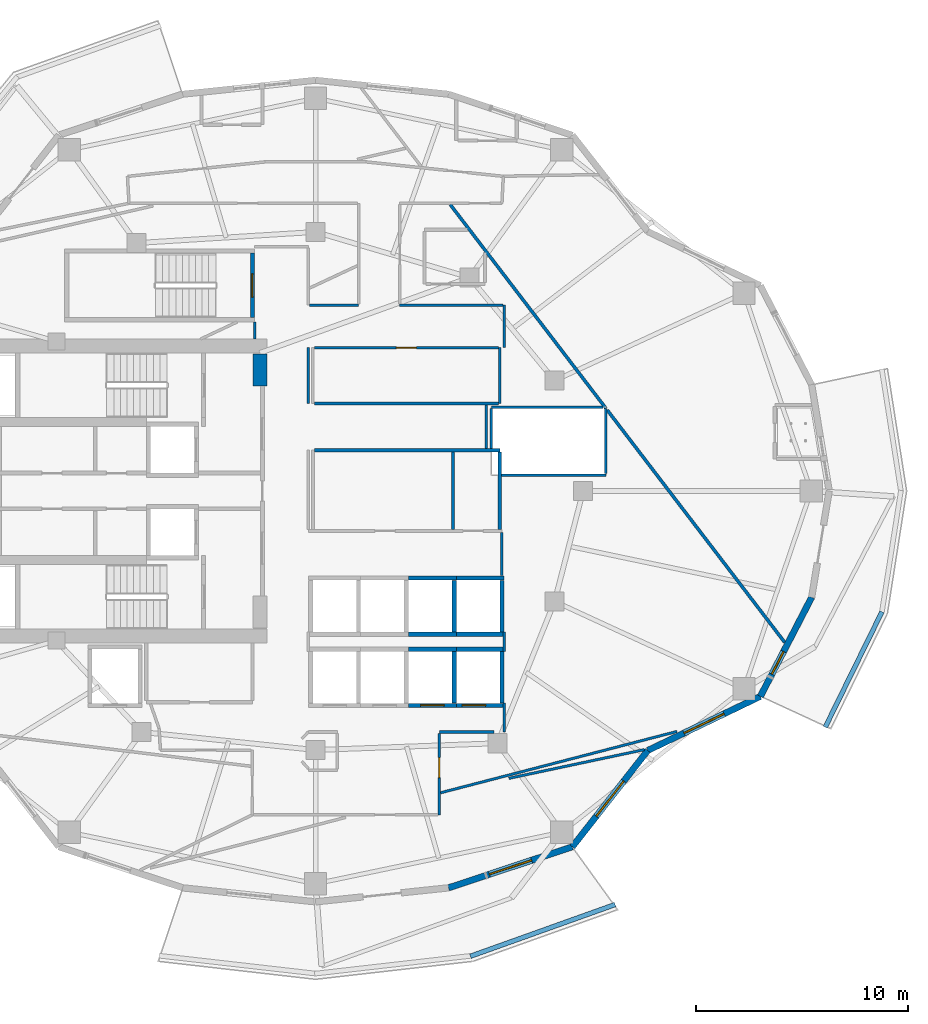
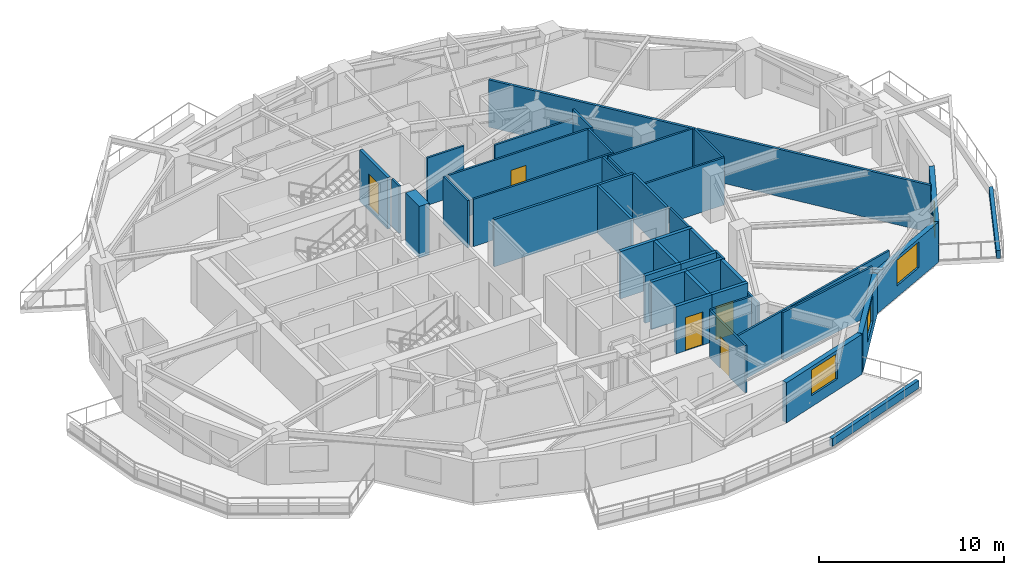
# One storey, part 5 of 14: 45 walls, 5 doors, 4 windows, 9 openings.
"""IFC4 building model written with IfcOpenShell, lengths in metres."""

from ifc_helpers import new_model, si_unit, direction, frame, frame_2d, origin, place, context, subcontext, project, spatial, rectangle, extrude, material, layer, layer_set, type_object, element, fill, save


model = new_model("IFC4")

# Units and contexts
model_context = context("Model", 3, precision=1e-05, world=origin(), true_north=direction((0.0, 1.0)))
body_context = subcontext(model_context, "Body", "Model", "MODEL_VIEW")
ifc_project = project(units=[si_unit("LENGTHUNIT", "METRE"), si_unit("AREAUNIT", "SQUARE_METRE"), si_unit("VOLUMEUNIT", "CUBIC_METRE"), si_unit("PLANEANGLEUNIT", "RADIAN"), si_unit("MASSUNIT", "GRAM", prefix="KILO")], contexts=[model_context])

# Site, building, storey
site_placement = place(None, origin())
site = spatial("IfcSite", under=ifc_project, at=site_placement, CompositionType="ELEMENT")
building_placement = place(site_placement, origin())
building = spatial("IfcBuilding", under=site, at=building_placement, Name="Kolvaren Gate Tower and Convention Centre", CompositionType="ELEMENT")
storey_placement = place(building_placement, frame((0.0, 0.0, 118.89990234375)))
storey = spatial("IfcBuildingStorey", under=building, at=storey_placement, Name="L29", CompositionType="ELEMENT", Elevation=118.89990234375)

# Walls
ifc_material_1 = material(Name="Fire-Rated Acoustic Gypsum Stud Partition", Category="gypsum")
ifc_layer_1 = layer(ifc_material_1, 0.1201171875)
ifc_layer_set_1 = layer_set([ifc_layer_1], Name="Fire-Rated Acoustic Gypsum Stud Partition")
wall_type_1 = type_object("IfcWallType", Name="ARCH-WL-PART-120", PredefinedType="PARTITIONING", material=ifc_layer_set_1)
wall_1_placement = place(storey_placement, frame((38.800048828125, 31.1201171875, 0.0), z_axis=(0.0, 0.0, 1.0), x_axis=(0.0, 1.0, 0.0)))
element("IfcWall", 1, at=wall_1_placement, inside=storey, type_object=wall_type_1, Name="Interior Partition WL-L29-INT-020", PredefinedType="PARTITIONING", context=body_context, shape_type="SweptSolid", body=[
    extrude(rectangle(XDim=2.6298828125, YDim=0.1201171875, at=frame_2d((1.31494140625, 0.0))), origin(), (0.0, 0.0, 1.0), 3.130126953125),
])
wall_2_placement = place(storey_placement, frame((30.06201171875, 31.1201171875, 0.0), z_axis=(0.0, 0.0, 1.0), x_axis=(1.0, 0.0, 0.0)))
element("IfcWall", 2, at=wall_2_placement, inside=storey, type_object=wall_type_1, Name="Interior Partition WL-L29-INT-021", PredefinedType="PARTITIONING", context=body_context, shape_type="SweptSolid", body=[
    extrude(rectangle(XDim=8.676025390625, YDim=0.1201171875, at=frame_2d((4.337890625, 0.0))), origin(), (0.0, 0.0, 1.0), 3.130126953125),
])

# Wall, opening, door
wall_3_placement = place(storey_placement, frame((30.06201171875, 33.75, 0.0), z_axis=(0.0, 0.0, 1.0), x_axis=(1.0, 0.0, 0.0)))
wall_3 = element("IfcWall", 3, at=wall_3_placement, inside=storey, type_object=wall_type_1, Name="Interior Partition WL-L29-INT-022", PredefinedType="PARTITIONING", context=body_context, shape_type="SweptSolid", body=[
    extrude(rectangle(XDim=8.676025390625, YDim=0.1201171875, at=frame_2d((4.337890625, 0.0))), origin(), (0.0, 0.0, 1.0), 3.130126953125),
])
opening_1_placement = place(wall_3_placement, frame((3.863037109375, 0.0, 0.0)))
opening_1 = element("IfcOpeningElement", 4, at=opening_1_placement, cuts=wall_3, Name="Opening DR-01", PredefinedType="OPENING", context=body_context, shape_type="SweptSolid", body=[
    extrude(rectangle(XDim=0.949951171875, YDim=2.10009765625, at=frame_2d((0.47509765625, 1.050048828125))), frame((0.0, 0.070068359375, 0.0), z_axis=(0.0, -1.0, 0.0), x_axis=(1.0, 0.0, 0.0)), (0.0, 0.0, 1.0), 0.14013671875),
])
ifc_material_2 = material(Name="Painted Architectural Steelwork ASTM A500 Grade C 345 MPa", Category="steel")
door_type_1 = type_object("IfcDoorType", Name="ARCH-DR-RISER-950", OperationType="SINGLE_SWING_RIGHT", PredefinedType="DOOR", material=ifc_material_2)
door_1_placement = place(opening_1_placement, origin())
door_1 = element("IfcDoor", 5, at=door_1_placement, inside=storey, type_object=door_type_1, Name="Botanical Reading Clubroom Door", OperationType="SINGLE_SWING_RIGHT", OverallHeight=2.10009765625, OverallWidth=0.949951171875, PredefinedType="DOOR", context=body_context, shape_type="SweptSolid", body=[
    extrude(rectangle(XDim=0.949951171875, YDim=2.10009765625, at=frame_2d((0.47509765625, 1.050048828125))), frame((0.0, 0.02490234375, 0.0), z_axis=(0.0, -1.0, 0.0), x_axis=(1.0, 0.0, 0.0)), (0.0, 0.0, 1.0), 0.050048828125),
])
fill(opening_1, door_1)

# Walls
wall_4_placement = place(storey_placement, frame((39.02001953125, 15.64990234375, 0.0), z_axis=(0.0, 0.0, 1.0), x_axis=(0.0, 1.0, 0.0)))
element("IfcWall", 6, at=wall_4_placement, inside=storey, type_object=wall_type_1, Name="Interior Partition WL-L29-INT-023", PredefinedType="PARTITIONING", context=body_context, shape_type="SweptSolid", body=[
    extrude(rectangle(XDim=1.360107421875, YDim=0.1201171875, at=frame_2d((0.68017578125, 0.0))), origin(), (0.0, 0.0, 1.0), 2.505126953125),
])
wall_5_placement = place(storey_placement, frame((39.02001953125, 19.43994140625, 0.0), z_axis=(0.0, 0.0, 1.0), x_axis=(0.0, 1.0, 0.0)))
element("IfcWall", 7, at=wall_5_placement, inside=storey, type_object=wall_type_1, Name="Interior Partition WL-L29-INT-023 (2)", PredefinedType="PARTITIONING", context=body_context, shape_type="SweptSolid", body=[
    extrude(rectangle(XDim=0.920166015625, YDim=0.1201171875, at=frame_2d((0.4599609375, 0.0))), origin(), (0.0, 0.0, 1.0), 3.130126953125),
])
wall_6_placement = place(storey_placement, frame((39.02001953125, 33.75, 0.0), z_axis=(0.0, 0.0, 1.0), x_axis=(0.0, 1.0, 0.0)))
element("IfcWall", 8, at=wall_6_placement, inside=storey, type_object=wall_type_1, Name="Interior Partition WL-L29-INT-024", PredefinedType="PARTITIONING", context=body_context, shape_type="SweptSolid", body=[
    extrude(rectangle(XDim=2.0, YDim=0.1201171875, at=frame_2d((1.0, 0.0))), origin(), (0.0, 0.0, 1.0), 3.130126953125),
])
wall_7_placement = place(storey_placement, frame((35.949951171875, 15.64990234375, 0.0), z_axis=(0.0, 0.0, 1.0), x_axis=(1.0, 0.0, 0.0)))
element("IfcWall", 9, at=wall_7_placement, inside=storey, type_object=wall_type_1, Name="Interior Partition WL-L29-INT-026", PredefinedType="PARTITIONING", context=body_context, shape_type="SweptSolid", body=[
    extrude(rectangle(XDim=2.568115234375, YDim=0.1201171875, at=frame_2d((1.2841796875, 0.0))), origin(), (0.0, 0.0, 1.0), 3.130126953125),
])

# Wall, opening, door
wall_8_placement = place(storey_placement, frame((35.949951171875, 11.75, 0.0), z_axis=(0.0, 0.0, 1.0), x_axis=(0.0, 1.0, 0.0)))
wall_8 = element("IfcWall", 10, at=wall_8_placement, inside=storey, type_object=wall_type_1, Name="Interior Partition WL-L29-INT-027", PredefinedType="PARTITIONING", context=body_context, shape_type="SweptSolid", body=[
    extrude(rectangle(XDim=3.837890625, YDim=0.1201171875, at=frame_2d((1.9189453125, 0.0))), origin(), (0.0, 0.0, 1.0), 3.130126953125),
])
opening_2_placement = place(wall_8_placement, frame((1.74560546875, 0.0, 0.0)))
opening_2 = element("IfcOpeningElement", 11, at=opening_2_placement, cuts=wall_8, Name="Opening DR-01", PredefinedType="OPENING", context=body_context, shape_type="SweptSolid", body=[
    extrude(rectangle(XDim=0.949951171875, YDim=2.10009765625, at=frame_2d((0.47509765625, 1.050048828125))), frame((0.0, 0.070068359375, 0.0), z_axis=(0.0, -1.0, 0.0), x_axis=(1.0, 0.0, 0.0)), (0.0, 0.0, 1.0), 0.14013671875),
])
door_2_placement = place(opening_2_placement, origin())
door_2 = element("IfcDoor", 12, at=door_2_placement, inside=storey, type_object=door_type_1, Name="Executive Seminar Conference Room Door", OperationType="SINGLE_SWING_RIGHT", OverallHeight=2.10009765625, OverallWidth=0.949951171875, PredefinedType="DOOR", context=body_context, shape_type="SweptSolid", body=[
    extrude(rectangle(XDim=0.949951171875, YDim=2.10009765625, at=frame_2d((0.47509765625, 1.050048828125))), frame((0.0, 0.02490234375, 0.0), z_axis=(0.0, -1.0, 0.0), x_axis=(1.0, 0.0, 0.0)), (0.0, 0.0, 1.0), 0.050048828125),
])
fill(opening_2, door_2)

# Walls
wall_9_placement = place(storey_placement, frame((27.25, 34.152099609375, 0.0), z_axis=(0.0, 0.0, 1.0), x_axis=(0.0, 1.0, 0.0)))
element("IfcWall", 13, at=wall_9_placement, inside=storey, type_object=wall_type_1, Name="Interior Partition WL-L29-INT-033", PredefinedType="PARTITIONING", context=body_context, shape_type="SweptSolid", body=[
    extrude(rectangle(XDim=0.805908203125, YDim=0.1201171875, at=frame_2d((0.40283203125, 0.0))), origin(), (0.0, 0.0, 1.0), 3.130126953125),
])
wall_10_placement = place(storey_placement, frame((29.780029296875, 31.1201171875, 0.0), z_axis=(0.0, 0.0, 1.0), x_axis=(0.0, 1.0, 0.0)))
element("IfcWall", 14, at=wall_10_placement, inside=storey, type_object=wall_type_1, Name="Interior Partition WL-L29-INT-037", PredefinedType="PARTITIONING", context=body_context, shape_type="SweptSolid", body=[
    extrude(rectangle(XDim=2.6298828125, YDim=0.1201171875, at=frame_2d((1.31494140625, 0.0))), origin(), (0.0, 0.0, 1.0), 3.130126953125),
])
wall_11_placement = place(storey_placement, frame((29.842041015625, 35.75, 0.0), z_axis=(0.0, 0.0, 1.0), x_axis=(1.0, 0.0, 0.0)))
element("IfcWall", 15, at=wall_11_placement, inside=storey, type_object=wall_type_1, Name="Interior Partition WL-L29-INT-039", PredefinedType="PARTITIONING", context=body_context, shape_type="SweptSolid", body=[
    extrude(rectangle(XDim=2.307861328125, YDim=0.1201171875, at=frame_2d((1.15380859375, 0.0))), origin(), (0.0, 0.0, 1.0), 3.130126953125),
])
wall_12_placement = place(storey_placement, frame((34.080078125, 35.75, 0.0), z_axis=(0.0, 0.0, 1.0), x_axis=(1.0, 0.0, 0.0)))
element("IfcWall", 16, at=wall_12_placement, inside=storey, type_object=wall_type_1, Name="Interior Partition WL-L29-INT-040", PredefinedType="PARTITIONING", context=body_context, shape_type="SweptSolid", body=[
    extrude(rectangle(XDim=4.8779296875, YDim=0.1201171875, at=frame_2d((2.43896484375, 0.0))), origin(), (0.0, 0.0, 1.0), 2.505126953125),
])
wall_13_placement = place(storey_placement, frame((38.159912109375, 28.9970703125, 0.0), z_axis=(0.0, 0.0, 1.0), x_axis=(0.0, 1.0, 0.0)))
element("IfcWall", 17, at=wall_13_placement, inside=storey, type_object=wall_type_1, Name="Interior Partition WL-L29-INT-049", PredefinedType="PARTITIONING", context=body_context, shape_type="SweptSolid", body=[
    extrude(rectangle(XDim=2.06103515625, YDim=0.1201171875, at=frame_2d((1.030517578125, 0.0))), origin(), (0.0, 0.0, 1.0), 3.130126953125),
])
wall_14_placement = place(storey_placement, frame((38.89990234375, 23.02001953125, 0.0), z_axis=(0.0, 0.0, 1.0), x_axis=(0.0, 1.0, 0.0)))
element("IfcWall", 18, at=wall_14_placement, inside=storey, type_object=wall_type_1, Name="Interior Partition WL-L29-INT-050", PredefinedType="PARTITIONING", context=body_context, shape_type="SweptSolid", body=[
    extrude(rectangle(XDim=2.02294921875, YDim=0.1201171875, at=frame_2d((1.011474609375, 0.0))), origin(), (0.0, 0.0, 1.0), 3.130126953125),
])
wall_15_placement = place(storey_placement, frame((36.011962890625, 12.786865234375, 0.0), z_axis=(0.0, 0.0, 1.0), x_axis=(0.967985438953, 0.25100635445, 0.0)))
element("IfcWall", 19, at=wall_15_placement, inside=storey, type_object=wall_type_1, Name="Interior Partition WL-L29-INT-061", PredefinedType="PARTITIONING", context=body_context, shape_type="SweptSolid", body=[
    extrude(rectangle(XDim=11.50244140625, YDim=0.1201171875, at=frame_2d((5.751220703125, 0.0))), origin(), (0.0, 0.0, 1.0), 3.130126953125),
])
wall_16_placement = place(storey_placement, frame((39.22705078125, 13.465576171875, 0.0), z_axis=(0.0, 0.0, 1.0), x_axis=(0.978270488948, 0.207332704736, 0.0)))
element("IfcWall", 20, at=wall_16_placement, inside=storey, type_object=wall_type_1, Name="Interior Partition WL-L29-INT-062", PredefinedType="PARTITIONING", context=body_context, shape_type="SweptSolid", body=[
    extrude(rectangle(XDim=6.5224609375, YDim=0.1201171875, at=frame_2d((3.26123046875, 0.0))), origin(), (0.0, 0.0, 1.0), 3.130126953125),
])
wall_17_placement = place(storey_placement, frame((38.876953125, 27.75, 0.0), z_axis=(0.0, 0.0, 1.0), x_axis=(1.0, 0.0, 0.0)))
element("IfcWall", 21, at=wall_17_placement, inside=storey, type_object=wall_type_1, Name="Interior Partition WL-L29-INT-064", PredefinedType="PARTITIONING", context=body_context, shape_type="SweptSolid", body=[
    extrude(rectangle(XDim=4.923095703125, YDim=0.1201171875, at=frame_2d((2.46142578125, 0.0))), origin(), (0.0, 0.0, 1.0), 3.130126953125),
])
wall_18_placement = place(storey_placement, frame((43.800048828125, 27.81201171875, 0.0), z_axis=(0.0, 0.0, 1.0), x_axis=(0.0, 1.0, 0.0)))
element("IfcWall", 22, at=wall_18_placement, inside=storey, type_object=wall_type_1, Name="Interior Partition WL-L29-INT-065", PredefinedType="PARTITIONING", context=body_context, shape_type="SweptSolid", body=[
    extrude(rectangle(XDim=3.077880859375, YDim=0.1201171875, at=frame_2d((1.5390625, 0.0))), origin(), (0.0, 0.0, 1.0), 3.130126953125),
])
wall_19_placement = place(storey_placement, frame((38.39990234375, 30.949951171875, 0.0), z_axis=(0.0, 0.0, 1.0), x_axis=(1.0, 0.0, 0.0)))
element("IfcWall", 23, at=wall_19_placement, inside=storey, type_object=wall_type_1, Name="Interior Partition WL-L29-INT-076", PredefinedType="PARTITIONING", context=body_context, shape_type="SweptSolid", body=[
    extrude(rectangle(XDim=5.25732421875, YDim=0.1201171875, at=frame_2d((2.628662109375, 0.0))), origin(), (0.0, 0.0, 1.0), 3.130126953125),
])
wall_20_placement = place(storey_placement, frame((38.39990234375, 28.9970703125, 0.0), z_axis=(0.0, 0.0, 1.0), x_axis=(0.0, 1.0, 0.0)))
element("IfcWall", 24, at=wall_20_placement, inside=storey, type_object=wall_type_1, Name="Interior Partition WL-L29-INT-077", PredefinedType="PARTITIONING", context=body_context, shape_type="SweptSolid", body=[
    extrude(rectangle(XDim=1.890869140625, YDim=0.1201171875, at=frame_2d((0.9453125, 0.0))), origin(), (0.0, 0.0, 1.0), 3.130126953125),
])
ifc_material_3 = material(Name="Piedmont Cream Honed Limestone Cladding", Category="masonry")
ifc_layer_2 = layer(ifc_material_3, 0.219970703125)
ifc_layer_set_2 = layer_set([ifc_layer_2], Name="Piedmont Cream Honed Limestone Cladding")
wall_type_2 = type_object("IfcWallType", Name="ARCH-WL-PLANTER-220", PredefinedType="PARAPET", material=ifc_layer_set_2)
wall_21_placement = place(storey_placement, frame((37.4189453125, 5.08740234375, 0.0), z_axis=(0.0, 0.0, 1.0), x_axis=(0.941632697311, 0.336642040387, 0.0)))
element("IfcWall", 25, at=wall_21_placement, inside=storey, type_object=wall_type_2, Name="Vertical-Forest Balcony Stone Planter Kerb PK-L29-3.3", PredefinedType="PARAPET", context=body_context, shape_type="SweptSolid", body=[
    extrude(rectangle(XDim=7.235595703125, YDim=0.219970703125, at=frame_2d((3.61767578125, 0.0))), origin(), (0.0, 0.0, 1.0), 0.52001953125),
])
wall_22_placement = place(storey_placement, frame((54.12890625, 15.87841796875, 0.0), z_axis=(0.0, 0.0, 1.0), x_axis=(0.441269631716, 0.897374566235, 0.0)))
element("IfcWall", 26, at=wall_22_placement, inside=storey, type_object=wall_type_2, Name="Vertical-Forest Balcony Stone Planter Kerb PK-L29-4.1", PredefinedType="PARAPET", context=body_context, shape_type="SweptSolid", body=[
    extrude(rectangle(XDim=6.05615234375, YDim=0.219970703125, at=frame_2d((3.028076171875, 0.0))), origin(), (0.0, 0.0, 1.0), 0.52001953125),
])
ifc_material_4 = material(Name="Autoclaved Aerated Masonry Blockwork Class 4 (4.0 MPa)", Category="masonry")
ifc_layer_3 = layer(ifc_material_4, 0.199951171875)
ifc_layer_set_3 = layer_set([ifc_layer_3], Name="Autoclaved Aerated Masonry Blockwork Class 4 (4.0 MPa)")
wall_type_3 = type_object("IfcWallType", Name="ARCH-WL-SHAFT-200", PredefinedType="SOLIDWALL", material=ifc_layer_set_3)
wall_23_placement = place(storey_placement, frame((34.5, 19.550048828125, 0.0), z_axis=(0.0, 0.0, 1.0), x_axis=(1.0, 0.0, 0.0)))
element("IfcWall", 27, at=wall_23_placement, inside=storey, type_object=wall_type_3, Name="Elevator PL-07 L29 Fire Shaft Wall N", PredefinedType="SOLIDWALL", context=body_context, shape_type="SweptSolid", body=[
    extrude(rectangle(XDim=2.25, YDim=0.199951171875, at=frame_2d((1.125, 0.0))), origin(), (0.0, 0.0, 1.0), 3.130126953125),
])

# Wall, opening, door
wall_24_placement = place(storey_placement, frame((34.5, 16.89990234375, 0.0), z_axis=(0.0, 0.0, 1.0), x_axis=(1.0, 0.0, 0.0)))
wall_24 = element("IfcWall", 28, at=wall_24_placement, inside=storey, type_object=wall_type_3, Name="Elevator PL-07 L29 Fire Shaft Wall S", PredefinedType="SOLIDWALL", context=body_context, shape_type="SweptSolid", body=[
    extrude(rectangle(XDim=2.25, YDim=0.199951171875, at=frame_2d((1.125, 0.0))), origin(), (0.0, 0.0, 1.0), 3.130126953125),
])
opening_3_placement = place(wall_24_placement, frame((0.574951171875, 0.0, 0.0)))
opening_3 = element("IfcOpeningElement", 29, at=opening_3_placement, cuts=wall_24, Name="Opening LD", PredefinedType="OPENING", context=body_context, shape_type="SweptSolid", body=[
    extrude(rectangle(XDim=1.10009765625, YDim=2.199951171875, at=frame_2d((0.550048828125, 1.10009765625))), frame((0.0, 0.10986328125, 0.0), z_axis=(0.0, -1.0, 0.0), x_axis=(1.0, 0.0, 0.0)), (0.0, 0.0, 1.0), 0.219970703125),
])
ifc_material_5 = material(Name="Brushed Stainless Steel Grade 316L", Category="steel")
door_type_2 = type_object("IfcDoorType", Name="ARCH-DR-LIFT-1100", OperationType="SLIDING_TO_LEFT", PredefinedType="DOOR", material=ifc_material_5)
door_3_placement = place(opening_3_placement, origin())
door_3 = element("IfcDoor", 30, at=door_3_placement, inside=storey, type_object=door_type_2, Name="Elevator PL-07 L29 Sliding Landing Door", OperationType="SLIDING_TO_LEFT", OverallHeight=2.199951171875, OverallWidth=1.10009765625, PredefinedType="DOOR", context=body_context, shape_type="SweptSolid", body=[
    extrude(rectangle(XDim=1.10009765625, YDim=2.199951171875, at=frame_2d((0.550048828125, 1.10009765625))), frame((0.0, 0.02490234375, 0.0), z_axis=(0.0, -1.0, 0.0), x_axis=(1.0, 0.0, 0.0)), (0.0, 0.0, 1.0), 0.050048828125),
])
fill(opening_3, door_3)

# Walls
wall_25_placement = place(storey_placement, frame((36.64990234375, 17.010009765625, 0.0), z_axis=(0.0, 0.0, 1.0), x_axis=(0.0, 1.0, 0.0)))
element("IfcWall", 31, at=wall_25_placement, inside=storey, type_object=wall_type_3, Name="Elevator PL-07 L29 Fire Shaft Wall E", PredefinedType="SOLIDWALL", context=body_context, shape_type="SweptSolid", body=[
    extrude(rectangle(XDim=2.429931640625, YDim=0.199951171875, at=frame_2d((1.21484375, 0.0))), origin(), (0.0, 0.0, 1.0), 3.130126953125),
])
wall_26_placement = place(storey_placement, frame((36.75, 19.550048828125, 0.0), z_axis=(0.0, 0.0, 1.0), x_axis=(1.0, 0.0, 0.0)))
element("IfcWall", 32, at=wall_26_placement, inside=storey, type_object=wall_type_3, Name="Elevator PL-08 L29 Fire Shaft Wall N", PredefinedType="SOLIDWALL", context=body_context, shape_type="SweptSolid", body=[
    extrude(rectangle(XDim=2.25, YDim=0.199951171875, at=frame_2d((1.125, 0.0))), origin(), (0.0, 0.0, 1.0), 3.130126953125),
])

# Wall, opening, door
wall_27_placement = place(storey_placement, frame((36.75, 16.89990234375, 0.0), z_axis=(0.0, 0.0, 1.0), x_axis=(1.0, 0.0, 0.0)))
wall_27 = element("IfcWall", 33, at=wall_27_placement, inside=storey, type_object=wall_type_3, Name="Elevator PL-08 L29 Fire Shaft Wall S", PredefinedType="SOLIDWALL", context=body_context, shape_type="SweptSolid", body=[
    extrude(rectangle(XDim=2.25, YDim=0.199951171875, at=frame_2d((1.125, 0.0))), origin(), (0.0, 0.0, 1.0), 3.130126953125),
])
opening_4_placement = place(wall_27_placement, frame((0.280029296875, 0.0, 0.0)))
opening_4 = element("IfcOpeningElement", 34, at=opening_4_placement, cuts=wall_27, Name="Opening LD", PredefinedType="OPENING", context=body_context, shape_type="SweptSolid", body=[
    extrude(rectangle(XDim=1.10009765625, YDim=2.199951171875, at=frame_2d((0.550048828125, 1.10009765625))), frame((0.0, 0.10986328125, 0.0), z_axis=(0.0, -1.0, 0.0), x_axis=(1.0, 0.0, 0.0)), (0.0, 0.0, 1.0), 0.219970703125),
])
door_4_placement = place(opening_4_placement, origin())
door_4 = element("IfcDoor", 35, at=door_4_placement, inside=storey, type_object=door_type_2, Name="Elevator PL-08 L29 Sliding Landing Door", OperationType="SLIDING_TO_LEFT", OverallHeight=2.199951171875, OverallWidth=1.10009765625, PredefinedType="DOOR", context=body_context, shape_type="SweptSolid", body=[
    extrude(rectangle(XDim=1.10009765625, YDim=2.199951171875, at=frame_2d((0.550048828125, 1.10009765625))), frame((0.0, 0.02490234375, 0.0), z_axis=(0.0, -1.0, 0.0), x_axis=(1.0, 0.0, 0.0)), (0.0, 0.0, 1.0), 0.050048828125),
])
fill(opening_4, door_4)

# Walls
wall_28_placement = place(storey_placement, frame((38.89990234375, 17.010009765625, 0.0), z_axis=(0.0, 0.0, 1.0), x_axis=(0.0, 1.0, 0.0)))
element("IfcWall", 36, at=wall_28_placement, inside=storey, type_object=wall_type_3, Name="Elevator PL-08 L29 Fire Shaft Wall E", PredefinedType="SOLIDWALL", context=body_context, shape_type="SweptSolid", body=[
    extrude(rectangle(XDim=2.429931640625, YDim=0.199951171875, at=frame_2d((1.21484375, 0.0))), origin(), (0.0, 0.0, 1.0), 3.130126953125),
])
for number, where, z_axis, x_axis, name in (
    (37, (34.5, 22.89990234375, 0.0), (0.0, 0.0, 1.0), (1.0, 0.0, 0.0), "Elevator PL-11 L29 Fire Shaft Wall N"),
    (38, (34.5, 20.25, 0.0), (0.0, 0.0, 1.0), (1.0, 0.0, 0.0), "Elevator PL-11 L29 Fire Shaft Wall S"),
):
    element("IfcWall", number, at=place(storey_placement, frame(where, z_axis=z_axis, x_axis=x_axis)), inside=storey, type_object=wall_type_3, Name=name, PredefinedType="SOLIDWALL", context=body_context, shape_type="SweptSolid", body=[
        extrude(rectangle(XDim=2.25, YDim=0.199951171875, at=frame_2d((1.125, 0.0))), origin(), (0.0, 0.0, 1.0), 3.130126953125),
    ])
wall_29_placement = place(storey_placement, frame((36.64990234375, 20.360107421875, 0.0), z_axis=(0.0, 0.0, 1.0), x_axis=(0.0, 1.0, 0.0)))
element("IfcWall", 39, at=wall_29_placement, inside=storey, type_object=wall_type_3, Name="Elevator PL-11 L29 Fire Shaft Wall E", PredefinedType="SOLIDWALL", context=body_context, shape_type="SweptSolid", body=[
    extrude(rectangle(XDim=2.429931640625, YDim=0.199951171875, at=frame_2d((1.21484375, 0.0))), origin(), (0.0, 0.0, 1.0), 3.130126953125),
])
for number, where, z_axis, x_axis, name in (
    (40, (36.75, 22.89990234375, 0.0), (0.0, 0.0, 1.0), (1.0, 0.0, 0.0), "Elevator PL-12 L29 Fire Shaft Wall N"),
    (41, (36.75, 20.25, 0.0), (0.0, 0.0, 1.0), (1.0, 0.0, 0.0), "Elevator PL-12 L29 Fire Shaft Wall S"),
):
    element("IfcWall", number, at=place(storey_placement, frame(where, z_axis=z_axis, x_axis=x_axis)), inside=storey, type_object=wall_type_3, Name=name, PredefinedType="SOLIDWALL", context=body_context, shape_type="SweptSolid", body=[
        extrude(rectangle(XDim=2.25, YDim=0.199951171875, at=frame_2d((1.125, 0.0))), origin(), (0.0, 0.0, 1.0), 3.130126953125),
    ])
wall_30_placement = place(storey_placement, frame((38.89990234375, 20.360107421875, 0.0), z_axis=(0.0, 0.0, 1.0), x_axis=(0.0, 1.0, 0.0)))
element("IfcWall", 42, at=wall_30_placement, inside=storey, type_object=wall_type_3, Name="Elevator PL-12 L29 Fire Shaft Wall E", PredefinedType="SOLIDWALL", context=body_context, shape_type="SweptSolid", body=[
    extrude(rectangle(XDim=2.429931640625, YDim=0.199951171875, at=frame_2d((1.21484375, 0.0))), origin(), (0.0, 0.0, 1.0), 3.130126953125),
])

# Wall, opening, window
ifc_layer_4 = layer(ifc_material_3, 0.300048828125)
ifc_layer_set_4 = layer_set([ifc_layer_4], Name="Piedmont Cream Honed Limestone Cladding")
wall_type_4 = type_object("IfcWallType", Name="ARCH-WL-STONE-300", PredefinedType="SOLIDWALL", material=ifc_layer_set_4)
wall_31_placement = place(storey_placement, frame((36.38525390625, 8.309326171875, 0.0), z_axis=(0.0, 0.0, 1.0), x_axis=(0.949238009374, 0.314558741032, 0.0)))
wall_31 = element("IfcWall", 43, at=wall_31_placement, inside=storey, type_object=wall_type_4, Name="Tower L29 Honed Stone Spandrel Wall EW-19", PredefinedType="SOLIDWALL", context=body_context, shape_type="SweptSolid", body=[
    extrude(rectangle(XDim=6.1455078125, YDim=0.300048828125, at=frame_2d((3.07275390625, 0.0))), origin(), (0.0, 0.0, 1.0), 2.653076171875),
])
opening_5_placement = place(wall_31_placement, frame((2.02294921875, 0.0, 0.739990234375)))
opening_5 = element("IfcOpeningElement", 44, at=opening_5_placement, cuts=wall_31, Name="Opening W-02", PredefinedType="OPENING", context=body_context, shape_type="SweptSolid", body=[
    extrude(rectangle(XDim=2.10009765625, YDim=1.699951171875, at=frame_2d((1.050048828125, 0.85009765625))), frame((0.0, 0.159912109375, 0.0), z_axis=(0.0, -1.0, 0.0), x_axis=(1.0, 0.0, 0.0)), (0.0, 0.0, 1.0), 0.320068359375),
])
ifc_material_6 = material(Name="Low-E Triple Insulated Glazing Unit 44 mm", Category="glass")
window_type_1 = type_object("IfcWindowType", Name="ARCH-WN-HTL-2100", PartitioningType="SINGLE_PANEL", PredefinedType="WINDOW", material=ifc_material_6)
window_1_placement = place(opening_5_placement, origin())
window_1 = element("IfcWindow", 45, at=window_1_placement, inside=storey, type_object=window_type_1, Name="Tower L29 Punched Stone Facade Window W-19", OverallHeight=1.699951171875, OverallWidth=2.10009765625, PartitioningType="SINGLE_PANEL", PredefinedType="WINDOW", context=body_context, shape_type="SweptSolid", body=[
    extrude(rectangle(XDim=2.10009765625, YDim=1.699951171875, at=frame_2d((1.050048828125, 0.85009765625))), frame((0.0, 0.030029296875, 0.0), z_axis=(0.0, -1.0, 0.0), x_axis=(1.0, 0.0, 0.0)), (0.0, 0.0, 1.0), 0.06005859375),
])
fill(opening_5, window_1)

wall_32_placement = place(storey_placement, frame((42.21875, 10.242431640625, 0.0), z_axis=(0.0, 0.0, 1.0), x_axis=(0.616435134162, 0.787405693001, 0.0)))
wall_32 = element("IfcWall", 46, at=wall_32_placement, inside=storey, type_object=wall_type_4, Name="Tower L29 Honed Stone Spandrel Wall EW-20", PredefinedType="SOLIDWALL", context=body_context, shape_type="SweptSolid", body=[
    extrude(rectangle(XDim=5.759033203125, YDim=0.300048828125, at=frame_2d((2.87939453125, 0.0))), origin(), (0.0, 0.0, 1.0), 2.653076171875),
])
opening_6_placement = place(wall_32_placement, frame((1.8291015625, 0.0, 0.739990234375)))
opening_6 = element("IfcOpeningElement", 47, at=opening_6_placement, cuts=wall_32, Name="Opening W-02", PredefinedType="OPENING", context=body_context, shape_type="SweptSolid", body=[
    extrude(rectangle(XDim=2.10009765625, YDim=1.699951171875, at=frame_2d((1.050048828125, 0.85009765625))), frame((0.0, 0.159912109375, 0.0), z_axis=(0.0, -1.0, 0.0), x_axis=(1.0, 0.0, 0.0)), (0.0, 0.0, 1.0), 0.320068359375),
])
window_2_placement = place(opening_6_placement, origin())
window_2 = element("IfcWindow", 48, at=window_2_placement, inside=storey, type_object=window_type_1, Name="Tower L29 Punched Stone Facade Window W-20", OverallHeight=1.699951171875, OverallWidth=2.10009765625, PartitioningType="SINGLE_PANEL", PredefinedType="WINDOW", context=body_context, shape_type="SweptSolid", body=[
    extrude(rectangle(XDim=2.10009765625, YDim=1.699951171875, at=frame_2d((1.050048828125, 0.85009765625))), frame((0.0, 0.030029296875, 0.0), z_axis=(0.0, -1.0, 0.0), x_axis=(1.0, 0.0, 0.0)), (0.0, 0.0, 1.0), 0.06005859375),
])
fill(opening_6, window_2)

wall_33_placement = place(storey_placement, frame((45.768798828125, 14.777099609375, 0.0), z_axis=(0.0, 0.0, 1.0), x_axis=(0.901370184739, 0.433049408339, 0.0)))
wall_33 = element("IfcWall", 49, at=wall_33_placement, inside=storey, type_object=wall_type_4, Name="Tower L29 Honed Stone Spandrel Wall EW-21", PredefinedType="SOLIDWALL", context=body_context, shape_type="SweptSolid", body=[
    extrude(rectangle(XDim=5.883544921875, YDim=0.300048828125, at=frame_2d((2.94189453125, 0.0))), origin(), (0.0, 0.0, 1.0), 2.653076171875),
])
opening_7_placement = place(wall_33_placement, frame((1.89208984375, 0.0, 0.739990234375)))
opening_7 = element("IfcOpeningElement", 50, at=opening_7_placement, cuts=wall_33, Name="Opening W-02", PredefinedType="OPENING", context=body_context, shape_type="SweptSolid", body=[
    extrude(rectangle(XDim=2.10009765625, YDim=1.699951171875, at=frame_2d((1.050048828125, 0.85009765625))), frame((0.0, 0.159912109375, 0.0), z_axis=(0.0, -1.0, 0.0), x_axis=(1.0, 0.0, 0.0)), (0.0, 0.0, 1.0), 0.320068359375),
])
window_3_placement = place(opening_7_placement, origin())
window_3 = element("IfcWindow", 51, at=window_3_placement, inside=storey, type_object=window_type_1, Name="Tower L29 Punched Stone Facade Window W-21", OverallHeight=1.699951171875, OverallWidth=2.10009765625, PartitioningType="SINGLE_PANEL", PredefinedType="WINDOW", context=body_context, shape_type="SweptSolid", body=[
    extrude(rectangle(XDim=2.10009765625, YDim=1.699951171875, at=frame_2d((1.050048828125, 0.85009765625))), frame((0.0, 0.030029296875, 0.0), z_axis=(0.0, -1.0, 0.0), x_axis=(1.0, 0.0, 0.0)), (0.0, 0.0, 1.0), 0.06005859375),
])
fill(opening_7, window_3)

wall_34_placement = place(storey_placement, frame((51.072021484375, 17.324951171875, 0.0), z_axis=(0.0, 0.0, 1.0), x_axis=(0.459767899643, 0.888039119892, 0.0)))
wall_34 = element("IfcWall", 52, at=wall_34_placement, inside=storey, type_object=wall_type_4, Name="Tower L29 Honed Stone Spandrel Wall EW-22", PredefinedType="SOLIDWALL", context=body_context, shape_type="SweptSolid", body=[
    extrude(rectangle(XDim=5.25537109375, YDim=0.300048828125, at=frame_2d((2.627685546875, 0.0))), origin(), (0.0, 0.0, 1.0), 2.653076171875),
])
opening_8_placement = place(wall_34_placement, frame((1.179931640625, 0.0, 0.719970703125)))
opening_8 = element("IfcOpeningElement", 53, at=opening_8_placement, cuts=wall_34, Name="Opening W-04", PredefinedType="OPENING", context=body_context, shape_type="SweptSolid", body=[
    extrude(rectangle(XDim=1.199951171875, YDim=1.64990234375, at=frame_2d((0.60009765625, 0.824951171875))), frame((0.0, 0.159912109375, 0.0), z_axis=(0.0, -1.0, 0.0), x_axis=(1.0, 0.0, 0.0)), (0.0, 0.0, 1.0), 0.320068359375),
])
window_type_2 = type_object("IfcWindowType", Name="ARCH-WN-NARROW-1200", PartitioningType="SINGLE_PANEL", PredefinedType="WINDOW", material=ifc_material_6)
window_4_placement = place(opening_8_placement, origin())
window_4 = element("IfcWindow", 54, at=window_4_placement, inside=storey, type_object=window_type_2, Name="Tower L29 Punched Stone Facade Window W-22", OverallHeight=1.64990234375, OverallWidth=1.199951171875, PartitioningType="SINGLE_PANEL", PredefinedType="WINDOW", context=body_context, shape_type="SweptSolid", body=[
    extrude(rectangle(XDim=1.199951171875, YDim=1.64990234375, at=frame_2d((0.60009765625, 0.824951171875))), frame((0.0, 0.030029296875, 0.0), z_axis=(0.0, -1.0, 0.0), x_axis=(1.0, 0.0, 0.0)), (0.0, 0.0, 1.0), 0.06005859375),
])
fill(opening_8, window_4)

# Walls
ifc_material_7 = material(Name="Moisture-Resistant Cement-Board Acoustic Partition", Category="gypsum")
ifc_layer_5 = layer(ifc_material_7, 0.14990234375)
ifc_layer_set_5 = layer_set([ifc_layer_5], Name="Moisture-Resistant Cement-Board Acoustic Partition")
wall_type_5 = type_object("IfcWallType", Name="ARCH-WL-WET-150", PredefinedType="PARTITIONING", material=ifc_layer_set_5)
wall_35_placement = place(storey_placement, frame((30.076904296875, 28.919921875, 0.0), z_axis=(0.0, 0.0, 1.0), x_axis=(1.0, 0.0, 0.0)))
element("IfcWall", 55, at=wall_35_placement, inside=storey, type_object=wall_type_5, Name="Interior Partition WL-L29-INT-017", PredefinedType="PARTITIONING", context=body_context, shape_type="SweptSolid", body=[
    extrude(rectangle(XDim=8.72314453125, YDim=0.14990234375, at=frame_2d((4.361572265625, 0.0))), origin(), (0.0, 0.0, 1.0), 3.130126953125),
])
for number, where, z_axis, x_axis, name in (
    (56, (36.60009765625, 25.197021484375, 0.0), (0.0, 0.0, 1.0), (0.0, 1.0, 0.0), "Interior Partition WL-L29-INT-018"),
    (57, (38.800048828125, 25.197021484375, 0.0), (0.0, 0.0, 1.0), (0.0, 1.0, 0.0), "Interior Partition WL-L29-INT-019"),
):
    element("IfcWall", number, at=place(storey_placement, frame(where, z_axis=z_axis, x_axis=x_axis)), inside=storey, type_object=wall_type_5, Name=name, PredefinedType="PARTITIONING", context=body_context, shape_type="SweptSolid", body=[
        extrude(rectangle(XDim=3.64599609375, YDim=0.14990234375, at=frame_2d((1.822998046875, 0.0))), origin(), (0.0, 0.0, 1.0), 3.130126953125),
    ])
wall_36_placement = place(storey_placement, frame((36.46826171875, 40.488037109375, 0.0), z_axis=(0.0, 0.0, 1.0), x_axis=(0.607033615812, -0.794676153709, 0.0)))
element("IfcWall", 58, at=wall_36_placement, inside=storey, type_object=wall_type_5, Name="Interior Partition WL-L29-INT-067", PredefinedType="PARTITIONING", context=body_context, shape_type="SweptSolid", body=[
    extrude(rectangle(XDim=12.078125, YDim=0.14990234375, at=frame_2d((6.0390625, 0.0))), origin(), (0.0, 0.0, 1.0), 3.130126953125),
])
wall_37_placement = place(storey_placement, frame((43.862060546875, 30.808837890625, 0.0), z_axis=(0.0, 0.0, 1.0), x_axis=(0.607045175038, -0.794667323767, 0.0)))
element("IfcWall", 59, at=wall_37_placement, inside=storey, type_object=wall_type_5, Name="Interior Partition WL-L29-INT-067 (2)", PredefinedType="PARTITIONING", context=body_context, shape_type="SweptSolid", body=[
    extrude(rectangle(XDim=13.765869140625, YDim=0.14990234375, at=frame_2d((6.8828125, 0.0))), origin(), (0.0, 0.0, 1.0), 3.130126953125),
])
ifc_material_8 = material(Name="Concrete C60/75", Category="concrete")
ifc_layer_6 = layer(ifc_material_8, 0.64990234375)
ifc_layer_set_6 = layer_set([ifc_layer_6], Name="Concrete C60/75")
wall_type_6 = type_object("IfcWallType", Name="STR-WL-CORE-650", PredefinedType="SHEAR", material=ifc_layer_set_6)
wall_38_placement = place(storey_placement, frame((27.5, 31.949951171875, -0.27001953125), z_axis=(0.0, 0.0, 1.0), x_axis=(0.0, 1.0, 0.0)))
element("IfcWall", 60, at=wall_38_placement, inside=storey, type_object=wall_type_6, Name="Tower L29 Offset Core Shear Wall EN", PredefinedType="SHEAR", context=body_context, shape_type="SweptSolid", body=[
    extrude(rectangle(XDim=1.5, YDim=0.64990234375, at=frame_2d((0.75, 0.0))), origin(), (0.0, 0.0, 1.0), 3.400146484375),
])

# Wall, opening, door
ifc_material_9 = material(Name="Concrete C50/60", Category="concrete")
ifc_layer_7 = layer(ifc_material_9, 0.199951171875)
ifc_layer_set_7 = layer_set([ifc_layer_7], Name="Concrete C50/60")
wall_type_7 = type_object("IfcWallType", Name="STR-WL-SHAFT-200", PredefinedType="SHEAR", material=ifc_layer_set_7)
wall_39_placement = place(storey_placement, frame((27.14990234375, 35.159912109375, -0.27001953125), z_axis=(0.0, 0.0, 1.0), x_axis=(0.0, 1.0, 0.0)))
wall_39 = element("IfcWall", 61, at=wall_39_placement, inside=storey, type_object=wall_type_7, Name="Tower Mid-Zone Exit Stair ST-T3 L29 Structural Shear Enclosure Wall NEAR", PredefinedType="SHEAR", context=body_context, shape_type="SweptSolid", body=[
    extrude(rectangle(XDim=3.0400390625, YDim=0.199951171875, at=frame_2d((1.52001953125, 0.0))), origin(), (0.0, 0.0, 1.0), 3.400146484375),
])
opening_9_placement = place(wall_39_placement, frame((0.969970703125, 0.0, 0.27001953125)))
opening_9 = element("IfcOpeningElement", 62, at=opening_9_placement, cuts=wall_39, Name="Opening DS-01", PredefinedType="OPENING", context=body_context, shape_type="SweptSolid", body=[
    extrude(rectangle(XDim=1.10009765625, YDim=2.14990234375, at=frame_2d((0.550048828125, 1.074951171875))), frame((0.0, 0.10986328125, 0.0), z_axis=(0.0, -1.0, 0.0), x_axis=(1.0, 0.0, 0.0)), (0.0, 0.0, 1.0), 0.219970703125),
])
door_type_3 = type_object("IfcDoorType", Name="ARCH-DR-STAIR-1100", OperationType="SINGLE_SWING_LEFT", PredefinedType="DOOR", material=ifc_material_2)
door_5_placement = place(opening_9_placement, origin())
door_5 = element("IfcDoor", 63, at=door_5_placement, inside=storey, type_object=door_type_3, Name="Tower Mid-Zone Exit Stair ST-T3 L29 Fire Exit Stair Door", OperationType="SINGLE_SWING_LEFT", OverallHeight=2.14990234375, OverallWidth=1.10009765625, PredefinedType="DOOR", context=body_context, shape_type="SweptSolid", body=[
    extrude(rectangle(XDim=1.10009765625, YDim=2.14990234375, at=frame_2d((0.550048828125, 1.074951171875))), frame((0.0, 0.02490234375, 0.0), z_axis=(0.0, -1.0, 0.0), x_axis=(1.0, 0.0, 0.0)), (0.0, 0.0, 1.0), 0.050048828125),
])
fill(opening_9, door_5)

save(model, "model.ifc")
